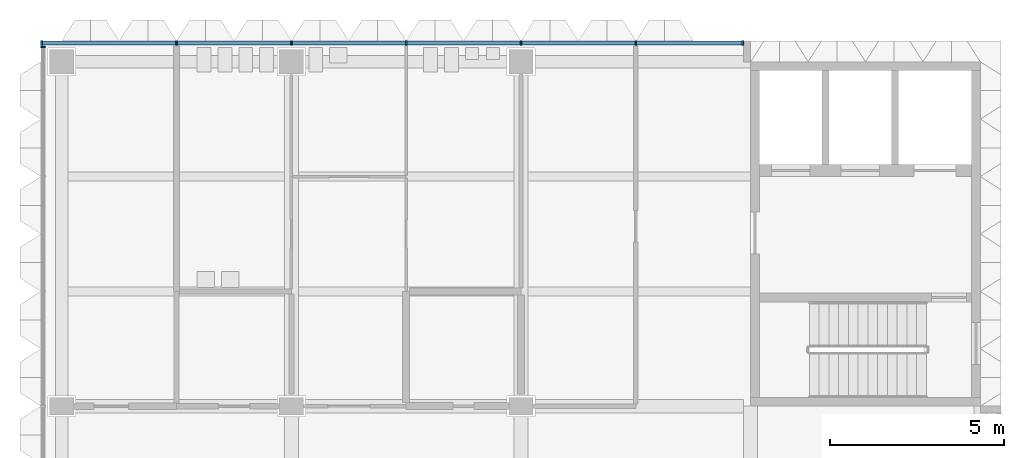
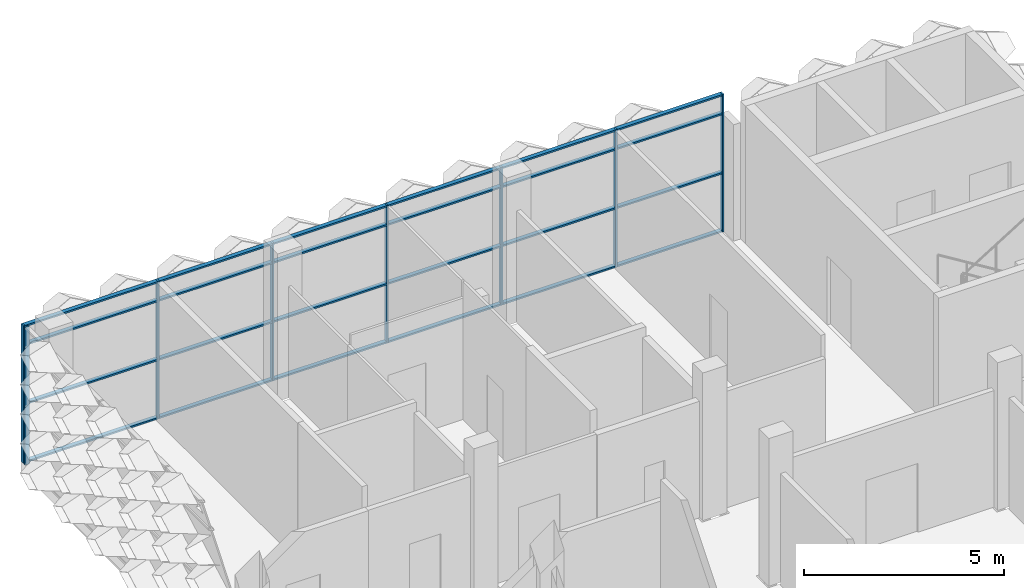
# One storey, part 6 of 29: 32 members, 2 elements without a shape of their own.
"""IFC4 building model written with IfcOpenShell, lengths in metres."""

from ifc_helpers import new_model, si_unit, direction, frame, origin, origin_2d, place, context, subcontext, project, spatial, rectangle, extrude, material, material_profile, profile_set, type_object, element, aggregate, save


model = new_model("IFC4")

# Units and contexts
model_context = context("Model", 3, precision=1e-05, world=origin(), true_north=direction((0.0, 1.0)))
body_context = subcontext(model_context, "Body", "Model", "MODEL_VIEW")
ifc_project = project(units=[si_unit("LENGTHUNIT", "METRE"), si_unit("AREAUNIT", "SQUARE_METRE"), si_unit("VOLUMEUNIT", "CUBIC_METRE"), si_unit("PLANEANGLEUNIT", "RADIAN"), si_unit("MASSUNIT", "GRAM", prefix="KILO")], contexts=[model_context])

# Site, building, storey
site_placement = place(None, origin())
site = spatial("IfcSite", under=ifc_project, at=site_placement, CompositionType="ELEMENT")
building_placement = place(site_placement, origin())
building = spatial("IfcBuilding", under=site, at=building_placement, Name="Lantern Court Research Institute", CompositionType="ELEMENT")
storey_placement = place(building_placement, frame((0.0, 0.0, 32.39990234375)))
storey = spatial("IfcBuildingStorey", under=building, at=storey_placement, Name="L07", CompositionType="ELEMENT", Elevation=32.39990234375)

# Curtain wall, members
ifc_material_1 = material(Name="Aluminium alloy 6063-T6", Category="aluminium")
curtain_wall_type_1 = type_object("IfcCurtainWallType", Name="Curtain wall 20200 x 4200 x 120 aluminium frame", PredefinedType="NOTDEFINED", material=ifc_material_1)
curtain_wall_1_placement = place(storey_placement, origin())
curtain_wall_1 = element("IfcCurtainWall", 1, at=curtain_wall_1_placement, inside=storey, type_object=curtain_wall_type_1, Name="Curtain wall CW082", PredefinedType="NOTDEFINED")
ifc_material_2 = material(Name="Aluminium alloy 6063-T6", Category="aluminium")
ifc_material_profile_1 = material_profile(ifc_material_2, rectangle(XDim=0.1201171875, YDim=0.050048828125, at=origin_2d()), Name="Mullion 120 x 50")
ifc_profile_set_1 = profile_set([ifc_material_profile_1], Name="Aluminium alloy 6063-T6")
member_type_1 = type_object("IfcMemberType", Name="Mullion 120 x 50 aluminium", PredefinedType="MULLION", material=ifc_profile_set_1)
member_1_placement = place(storey_placement, frame((52.22509765625, 23.639892578125, 0.0), z_axis=(0.0, 0.0, 1.0), x_axis=(0.0, 1.0, 0.0)))
member_1 = element("IfcMember", 2, at=member_1_placement, type_object=member_type_1, Name="CW082 mullion 1", PredefinedType="MULLION", context=body_context, shape_type="SweptSolid", body=[
    extrude(rectangle(XDim=0.1201171875, YDim=0.050048828125, at=origin_2d()), origin(), (0.0, 0.0, 1.0), 4.2001953125),
])
member_2_placement = place(storey_placement, frame((56.10009765625, 23.639892578125, 0.0), z_axis=(0.0, 0.0, 1.0), x_axis=(0.0, 1.0, 0.0)))
member_2 = element("IfcMember", 3, at=member_2_placement, type_object=member_type_1, Name="CW082 mullion 2", PredefinedType="MULLION", context=body_context, shape_type="SweptSolid", body=[
    extrude(rectangle(XDim=0.1201171875, YDim=0.050048828125, at=origin_2d()), origin(), (0.0, 0.0, 1.0), 4.2001953125),
])
member_3_placement = place(storey_placement, frame((59.39990234375, 23.639892578125, 0.0), z_axis=(0.0, 0.0, 1.0), x_axis=(0.0, 1.0, 0.0)))
member_3 = element("IfcMember", 4, at=member_3_placement, type_object=member_type_1, Name="CW082 mullion 3", PredefinedType="MULLION", context=body_context, shape_type="SweptSolid", body=[
    extrude(rectangle(XDim=0.1201171875, YDim=0.050048828125, at=origin_2d()), origin(), (0.0, 0.0, 1.0), 4.2001953125),
])
member_4_placement = place(storey_placement, frame((62.699951171875, 23.639892578125, 0.0), z_axis=(0.0, 0.0, 1.0), x_axis=(0.0, 1.0, 0.0)))
member_4 = element("IfcMember", 5, at=member_4_placement, type_object=member_type_1, Name="CW082 mullion 4", PredefinedType="MULLION", context=body_context, shape_type="SweptSolid", body=[
    extrude(rectangle(XDim=0.1201171875, YDim=0.050048828125, at=origin_2d()), origin(), (0.0, 0.0, 1.0), 4.2001953125),
])
member_5_placement = place(storey_placement, frame((66.0, 23.639892578125, 0.0), z_axis=(0.0, 0.0, 1.0), x_axis=(0.0, 1.0, 0.0)))
member_5 = element("IfcMember", 6, at=member_5_placement, type_object=member_type_1, Name="CW082 mullion 5", PredefinedType="MULLION", context=body_context, shape_type="SweptSolid", body=[
    extrude(rectangle(XDim=0.1201171875, YDim=0.050048828125, at=origin_2d()), origin(), (0.0, 0.0, 1.0), 4.2001953125),
])
member_6_placement = place(storey_placement, frame((69.300048828125, 23.639892578125, 0.0), z_axis=(0.0, 0.0, 1.0), x_axis=(0.0, 1.0, 0.0)))
member_6 = element("IfcMember", 7, at=member_6_placement, type_object=member_type_1, Name="CW082 mullion 6", PredefinedType="MULLION", context=body_context, shape_type="SweptSolid", body=[
    extrude(rectangle(XDim=0.1201171875, YDim=0.050048828125, at=origin_2d()), origin(), (0.0, 0.0, 1.0), 4.2001953125),
])
member_7_placement = place(storey_placement, frame((72.375, 23.639892578125, 0.0), z_axis=(0.0, 0.0, 1.0), x_axis=(0.0, 1.0, 0.0)))
member_7 = element("IfcMember", 8, at=member_7_placement, type_object=member_type_1, Name="CW082 mullion 7", PredefinedType="MULLION", context=body_context, shape_type="SweptSolid", body=[
    extrude(rectangle(XDim=0.1201171875, YDim=0.050048828125, at=origin_2d()), origin(), (0.0, 0.0, 1.0), 4.2001953125),
])

# Curtain wall, member
ifc_material_3 = material(Name="Aluminium alloy 6063-T6", Category="aluminium")
curtain_wall_type_2 = type_object("IfcCurtainWallType", Name="Curtain wall 21250 x 4200 x 120 aluminium frame", PredefinedType="NOTDEFINED", material=ifc_material_3)
curtain_wall_2_placement = place(storey_placement, origin())
curtain_wall_2 = element("IfcCurtainWall", 9, at=curtain_wall_2_placement, inside=storey, type_object=curtain_wall_type_2, Name="Curtain wall CW084", PredefinedType="NOTDEFINED")
member_8_placement = place(storey_placement, frame((52.260009765625, 23.52490234375, 0.0), z_axis=(0.0, 0.0, 1.0), x_axis=(-1.0, 0.0, 0.0)))
member_8 = element("IfcMember", 10, at=member_8_placement, type_object=member_type_1, Name="CW084 mullion 8", PredefinedType="MULLION", context=body_context, shape_type="SweptSolid", body=[
    extrude(rectangle(XDim=0.1201171875, YDim=0.050048828125, at=origin_2d()), origin(), (0.0, 0.0, 1.0), 4.2001953125),
])
aggregate(curtain_wall_2, [member_8])

# Member
ifc_material_4 = material(Name="Aluminium alloy 6063-T6", Category="aluminium")
ifc_material_profile_2 = material_profile(ifc_material_4, rectangle(XDim=0.1201171875, YDim=0.050048828125, at=origin_2d()), Name="Transom 120 x 50")
ifc_profile_set_2 = profile_set([ifc_material_profile_2], Name="Aluminium alloy 6063-T6")
member_type_2 = type_object("IfcMemberType", Name="Transom 120 x 50 aluminium", PredefinedType="USERDEFINED", material=ifc_profile_set_2)
member_9_placement = place(storey_placement, frame((52.25, 23.639892578125, 0.025146484375), z_axis=(1.0, 0.0, 0.0), x_axis=(0.0, 1.0, 0.0)))
member_9 = element("IfcMember", 11, at=member_9_placement, type_object=member_type_2, Name="CW082 transom 1.1", ObjectType="TRANSOM", PredefinedType="USERDEFINED", context=body_context, shape_type="SweptSolid", body=[
    extrude(rectangle(XDim=0.1201171875, YDim=0.050048828125, at=origin_2d()), origin(), (0.0, 0.0, 1.0), 3.824951171875),
])

member_10_placement = place(storey_placement, frame((52.25, 23.639892578125, 1.800048828125), z_axis=(1.0, 0.0, 0.0), x_axis=(0.0, 1.0, 0.0)))
member_10 = element("IfcMember", 12, at=member_10_placement, type_object=member_type_2, Name="CW082 transom 1.2", ObjectType="TRANSOM", PredefinedType="USERDEFINED", context=body_context, shape_type="SweptSolid", body=[
    extrude(rectangle(XDim=0.1201171875, YDim=0.050048828125, at=origin_2d()), origin(), (0.0, 0.0, 1.0), 3.824951171875),
])

member_11_placement = place(storey_placement, frame((52.25, 23.639892578125, 3.60009765625), z_axis=(1.0, 0.0, 0.0), x_axis=(0.0, 1.0, 0.0)))
member_11 = element("IfcMember", 13, at=member_11_placement, type_object=member_type_2, Name="CW082 transom 1.3", ObjectType="TRANSOM", PredefinedType="USERDEFINED", context=body_context, shape_type="SweptSolid", body=[
    extrude(rectangle(XDim=0.1201171875, YDim=0.050048828125, at=origin_2d()), origin(), (0.0, 0.0, 1.0), 3.824951171875),
])

member_12_placement = place(storey_placement, frame((52.25, 23.639892578125, 4.175048828125), z_axis=(1.0, 0.0, 0.0), x_axis=(0.0, 1.0, 0.0)))
member_12 = element("IfcMember", 14, at=member_12_placement, type_object=member_type_2, Name="CW082 transom 1.4", ObjectType="TRANSOM", PredefinedType="USERDEFINED", context=body_context, shape_type="SweptSolid", body=[
    extrude(rectangle(XDim=0.1201171875, YDim=0.050048828125, at=origin_2d()), origin(), (0.0, 0.0, 1.0), 3.824951171875),
])

member_13_placement = place(storey_placement, frame((56.125, 23.639892578125, 0.025146484375), z_axis=(1.0, 0.0, 0.0), x_axis=(0.0, 1.0, 0.0)))
member_13 = element("IfcMember", 15, at=member_13_placement, type_object=member_type_2, Name="CW082 transom 2.1", ObjectType="TRANSOM", PredefinedType="USERDEFINED", context=body_context, shape_type="SweptSolid", body=[
    extrude(rectangle(XDim=0.1201171875, YDim=0.050048828125, at=origin_2d()), origin(), (0.0, 0.0, 1.0), 3.25),
])

member_14_placement = place(storey_placement, frame((56.125, 23.639892578125, 1.800048828125), z_axis=(1.0, 0.0, 0.0), x_axis=(0.0, 1.0, 0.0)))
member_14 = element("IfcMember", 16, at=member_14_placement, type_object=member_type_2, Name="CW082 transom 2.2", ObjectType="TRANSOM", PredefinedType="USERDEFINED", context=body_context, shape_type="SweptSolid", body=[
    extrude(rectangle(XDim=0.1201171875, YDim=0.050048828125, at=origin_2d()), origin(), (0.0, 0.0, 1.0), 3.25),
])

member_15_placement = place(storey_placement, frame((56.125, 23.639892578125, 3.60009765625), z_axis=(1.0, 0.0, 0.0), x_axis=(0.0, 1.0, 0.0)))
member_15 = element("IfcMember", 17, at=member_15_placement, type_object=member_type_2, Name="CW082 transom 2.3", ObjectType="TRANSOM", PredefinedType="USERDEFINED", context=body_context, shape_type="SweptSolid", body=[
    extrude(rectangle(XDim=0.1201171875, YDim=0.050048828125, at=origin_2d()), origin(), (0.0, 0.0, 1.0), 3.25),
])

member_16_placement = place(storey_placement, frame((56.125, 23.639892578125, 4.175048828125), z_axis=(1.0, 0.0, 0.0), x_axis=(0.0, 1.0, 0.0)))
member_16 = element("IfcMember", 18, at=member_16_placement, type_object=member_type_2, Name="CW082 transom 2.4", ObjectType="TRANSOM", PredefinedType="USERDEFINED", context=body_context, shape_type="SweptSolid", body=[
    extrude(rectangle(XDim=0.1201171875, YDim=0.050048828125, at=origin_2d()), origin(), (0.0, 0.0, 1.0), 3.25),
])

member_17_placement = place(storey_placement, frame((59.425048828125, 23.639892578125, 0.025146484375), z_axis=(1.0, 0.0, 0.0), x_axis=(0.0, 1.0, 0.0)))
member_17 = element("IfcMember", 19, at=member_17_placement, type_object=member_type_2, Name="CW082 transom 3.1", ObjectType="TRANSOM", PredefinedType="USERDEFINED", context=body_context, shape_type="SweptSolid", body=[
    extrude(rectangle(XDim=0.1201171875, YDim=0.050048828125, at=origin_2d()), origin(), (0.0, 0.0, 1.0), 3.25),
])

member_18_placement = place(storey_placement, frame((59.425048828125, 23.639892578125, 1.800048828125), z_axis=(1.0, 0.0, 0.0), x_axis=(0.0, 1.0, 0.0)))
member_18 = element("IfcMember", 20, at=member_18_placement, type_object=member_type_2, Name="CW082 transom 3.2", ObjectType="TRANSOM", PredefinedType="USERDEFINED", context=body_context, shape_type="SweptSolid", body=[
    extrude(rectangle(XDim=0.1201171875, YDim=0.050048828125, at=origin_2d()), origin(), (0.0, 0.0, 1.0), 3.25),
])

member_19_placement = place(storey_placement, frame((59.425048828125, 23.639892578125, 3.60009765625), z_axis=(1.0, 0.0, 0.0), x_axis=(0.0, 1.0, 0.0)))
member_19 = element("IfcMember", 21, at=member_19_placement, type_object=member_type_2, Name="CW082 transom 3.3", ObjectType="TRANSOM", PredefinedType="USERDEFINED", context=body_context, shape_type="SweptSolid", body=[
    extrude(rectangle(XDim=0.1201171875, YDim=0.050048828125, at=origin_2d()), origin(), (0.0, 0.0, 1.0), 3.25),
])

member_20_placement = place(storey_placement, frame((59.425048828125, 23.639892578125, 4.175048828125), z_axis=(1.0, 0.0, 0.0), x_axis=(0.0, 1.0, 0.0)))
member_20 = element("IfcMember", 22, at=member_20_placement, type_object=member_type_2, Name="CW082 transom 3.4", ObjectType="TRANSOM", PredefinedType="USERDEFINED", context=body_context, shape_type="SweptSolid", body=[
    extrude(rectangle(XDim=0.1201171875, YDim=0.050048828125, at=origin_2d()), origin(), (0.0, 0.0, 1.0), 3.25),
])

member_21_placement = place(storey_placement, frame((62.72509765625, 23.639892578125, 0.025146484375), z_axis=(1.0, 0.0, 0.0), x_axis=(0.0, 1.0, 0.0)))
member_21 = element("IfcMember", 23, at=member_21_placement, type_object=member_type_2, Name="CW082 transom 4.1", ObjectType="TRANSOM", PredefinedType="USERDEFINED", context=body_context, shape_type="SweptSolid", body=[
    extrude(rectangle(XDim=0.1201171875, YDim=0.050048828125, at=origin_2d()), origin(), (0.0, 0.0, 1.0), 3.25),
])

member_22_placement = place(storey_placement, frame((62.72509765625, 23.639892578125, 1.800048828125), z_axis=(1.0, 0.0, 0.0), x_axis=(0.0, 1.0, 0.0)))
member_22 = element("IfcMember", 24, at=member_22_placement, type_object=member_type_2, Name="CW082 transom 4.2", ObjectType="TRANSOM", PredefinedType="USERDEFINED", context=body_context, shape_type="SweptSolid", body=[
    extrude(rectangle(XDim=0.1201171875, YDim=0.050048828125, at=origin_2d()), origin(), (0.0, 0.0, 1.0), 3.25),
])

member_23_placement = place(storey_placement, frame((62.72509765625, 23.639892578125, 3.60009765625), z_axis=(1.0, 0.0, 0.0), x_axis=(0.0, 1.0, 0.0)))
member_23 = element("IfcMember", 25, at=member_23_placement, type_object=member_type_2, Name="CW082 transom 4.3", ObjectType="TRANSOM", PredefinedType="USERDEFINED", context=body_context, shape_type="SweptSolid", body=[
    extrude(rectangle(XDim=0.1201171875, YDim=0.050048828125, at=origin_2d()), origin(), (0.0, 0.0, 1.0), 3.25),
])

member_24_placement = place(storey_placement, frame((62.72509765625, 23.639892578125, 4.175048828125), z_axis=(1.0, 0.0, 0.0), x_axis=(0.0, 1.0, 0.0)))
member_24 = element("IfcMember", 26, at=member_24_placement, type_object=member_type_2, Name="CW082 transom 4.4", ObjectType="TRANSOM", PredefinedType="USERDEFINED", context=body_context, shape_type="SweptSolid", body=[
    extrude(rectangle(XDim=0.1201171875, YDim=0.050048828125, at=origin_2d()), origin(), (0.0, 0.0, 1.0), 3.25),
])

member_25_placement = place(storey_placement, frame((66.02490234375, 23.639892578125, 0.025146484375), z_axis=(1.0, 0.0, 0.0), x_axis=(0.0, 1.0, 0.0)))
member_25 = element("IfcMember", 27, at=member_25_placement, type_object=member_type_2, Name="CW082 transom 5.1", ObjectType="TRANSOM", PredefinedType="USERDEFINED", context=body_context, shape_type="SweptSolid", body=[
    extrude(rectangle(XDim=0.1201171875, YDim=0.050048828125, at=origin_2d()), origin(), (0.0, 0.0, 1.0), 3.25),
])

member_26_placement = place(storey_placement, frame((66.02490234375, 23.639892578125, 1.800048828125), z_axis=(1.0, 0.0, 0.0), x_axis=(0.0, 1.0, 0.0)))
member_26 = element("IfcMember", 28, at=member_26_placement, type_object=member_type_2, Name="CW082 transom 5.2", ObjectType="TRANSOM", PredefinedType="USERDEFINED", context=body_context, shape_type="SweptSolid", body=[
    extrude(rectangle(XDim=0.1201171875, YDim=0.050048828125, at=origin_2d()), origin(), (0.0, 0.0, 1.0), 3.25),
])

member_27_placement = place(storey_placement, frame((66.02490234375, 23.639892578125, 3.60009765625), z_axis=(1.0, 0.0, 0.0), x_axis=(0.0, 1.0, 0.0)))
member_27 = element("IfcMember", 29, at=member_27_placement, type_object=member_type_2, Name="CW082 transom 5.3", ObjectType="TRANSOM", PredefinedType="USERDEFINED", context=body_context, shape_type="SweptSolid", body=[
    extrude(rectangle(XDim=0.1201171875, YDim=0.050048828125, at=origin_2d()), origin(), (0.0, 0.0, 1.0), 3.25),
])

member_28_placement = place(storey_placement, frame((66.02490234375, 23.639892578125, 4.175048828125), z_axis=(1.0, 0.0, 0.0), x_axis=(0.0, 1.0, 0.0)))
member_28 = element("IfcMember", 30, at=member_28_placement, type_object=member_type_2, Name="CW082 transom 5.4", ObjectType="TRANSOM", PredefinedType="USERDEFINED", context=body_context, shape_type="SweptSolid", body=[
    extrude(rectangle(XDim=0.1201171875, YDim=0.050048828125, at=origin_2d()), origin(), (0.0, 0.0, 1.0), 3.25),
])

member_29_placement = place(storey_placement, frame((69.324951171875, 23.639892578125, 0.025146484375), z_axis=(1.0, 0.0, 0.0), x_axis=(0.0, 1.0, 0.0)))
member_29 = element("IfcMember", 31, at=member_29_placement, type_object=member_type_2, Name="CW082 transom 6.1", ObjectType="TRANSOM", PredefinedType="USERDEFINED", context=body_context, shape_type="SweptSolid", body=[
    extrude(rectangle(XDim=0.1201171875, YDim=0.050048828125, at=origin_2d()), origin(), (0.0, 0.0, 1.0), 3.025146484375),
])

member_30_placement = place(storey_placement, frame((69.324951171875, 23.639892578125, 1.800048828125), z_axis=(1.0, 0.0, 0.0), x_axis=(0.0, 1.0, 0.0)))
member_30 = element("IfcMember", 32, at=member_30_placement, type_object=member_type_2, Name="CW082 transom 6.2", ObjectType="TRANSOM", PredefinedType="USERDEFINED", context=body_context, shape_type="SweptSolid", body=[
    extrude(rectangle(XDim=0.1201171875, YDim=0.050048828125, at=origin_2d()), origin(), (0.0, 0.0, 1.0), 3.025146484375),
])

member_31_placement = place(storey_placement, frame((69.324951171875, 23.639892578125, 3.60009765625), z_axis=(1.0, 0.0, 0.0), x_axis=(0.0, 1.0, 0.0)))
member_31 = element("IfcMember", 33, at=member_31_placement, type_object=member_type_2, Name="CW082 transom 6.3", ObjectType="TRANSOM", PredefinedType="USERDEFINED", context=body_context, shape_type="SweptSolid", body=[
    extrude(rectangle(XDim=0.1201171875, YDim=0.050048828125, at=origin_2d()), origin(), (0.0, 0.0, 1.0), 3.025146484375),
])

member_32_placement = place(storey_placement, frame((69.324951171875, 23.639892578125, 4.175048828125), z_axis=(1.0, 0.0, 0.0), x_axis=(0.0, 1.0, 0.0)))
member_32 = element("IfcMember", 34, at=member_32_placement, type_object=member_type_2, Name="CW082 transom 6.4", ObjectType="TRANSOM", PredefinedType="USERDEFINED", context=body_context, shape_type="SweptSolid", body=[
    extrude(rectangle(XDim=0.1201171875, YDim=0.050048828125, at=origin_2d()), origin(), (0.0, 0.0, 1.0), 3.025146484375),
])

aggregate(curtain_wall_1, [member_1, member_2, member_3, member_4, member_5, member_6, member_7, member_9, member_10, member_11, member_12, member_13, member_14, member_15, member_16, member_17, member_18, member_19, member_20, member_21, member_22, member_23, member_24, member_25, member_26, member_27, member_28, member_29, member_30, member_31, member_32])

save(model, "model.ifc")
